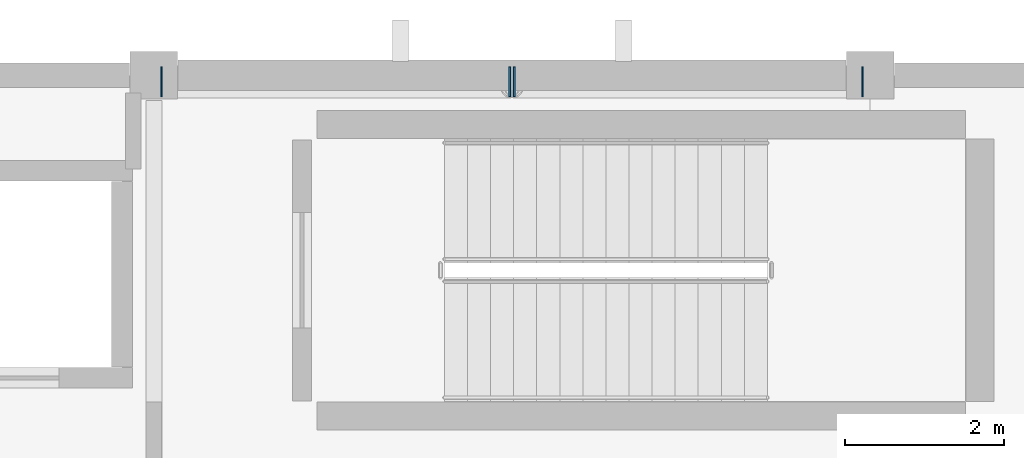
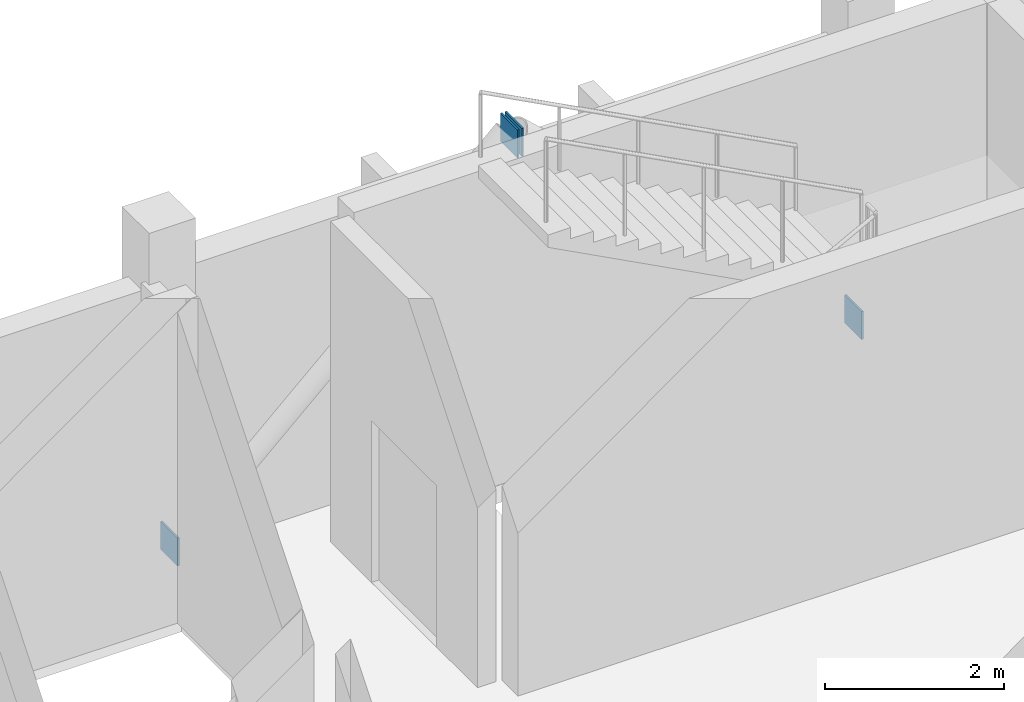
# One storey, part 117 of 136: 4 plates.
"""IFC4 building model written with IfcOpenShell, lengths in metres."""

from ifc_helpers import new_model, si_unit, direction, frame, origin, origin_2d, place, context, subcontext, project, spatial, rectangle, extrude, material, layer, layer_set, type_object, element, save


model = new_model("IFC4")

# Units and contexts
model_context = context("Model", 3, precision=1e-05, world=origin(), true_north=direction((0.0, 1.0)))
body_context = subcontext(model_context, "Body", "Model", "MODEL_VIEW")
ifc_project = project(units=[si_unit("LENGTHUNIT", "METRE"), si_unit("AREAUNIT", "SQUARE_METRE"), si_unit("VOLUMEUNIT", "CUBIC_METRE"), si_unit("PLANEANGLEUNIT", "RADIAN"), si_unit("MASSUNIT", "GRAM", prefix="KILO")], contexts=[model_context])

# Site, building, storey
site_placement = place(None, origin())
site = spatial("IfcSite", under=ifc_project, at=site_placement, CompositionType="ELEMENT")
building_placement = place(site_placement, origin())
building = spatial("IfcBuilding", under=site, at=building_placement, Name="Shengluoqiao Park Theatre", CompositionType="ELEMENT")
storey_placement = place(building_placement, frame((0.0, 0.0, 10.0)))
storey = spatial("IfcBuildingStorey", under=building, at=storey_placement, Name="L02", CompositionType="ELEMENT", Elevation=10.0)

# Plates
ifc_material = material(Name="Steel Q390", Category="steel")
ifc_layer = layer(ifc_material, 0.02392578125, Name="Steel Q390")
ifc_layer_set = layer_set([ifc_layer], Name="Steel Q390")
plate_type = type_object("IfcPlateType", Name="STR-PLT-EC-360", PredefinedType="SHEET", material=ifc_layer_set)
for number, where, z_axis, x_axis, name in (
    (1, (130.49658203125, 113.919921875, -0.08154296875), (0.0, 0.0, 1.0), (1.0, 0.0, 0.0), "Hollow Tube End Cap Plate 00152"),
    (2, (134.870849609375, 113.919921875, 3.94384765625), (0.0, 0.0, 1.0), (1.0, 0.0, 0.0), "Hollow Tube End Cap Plate 00153"),
    (3, (139.303466796875, 113.919921875, -0.08154296875), (0.0, 0.0, 1.0), (-1.0, 0.0, 0.0), "Hollow Tube End Cap Plate 00154"),
    (4, (134.92919921875, 113.919921875, 3.94384765625), (0.0, 0.0, 1.0), (-1.0, 0.0, 0.0), "Hollow Tube End Cap Plate 00155"),
):
    element("IfcPlate", number, at=place(storey_placement, frame(where, z_axis=z_axis, x_axis=x_axis)), inside=storey, type_object=plate_type, Name=name, PredefinedType="SHEET", context=body_context, shape_type="SweptSolid", body=[
        extrude(rectangle(XDim=0.02392578125, YDim=0.3798828125, at=origin_2d()), origin(), (0.0, 0.0, 1.0), 0.3798828125),
    ])

save(model, "model.ifc")
